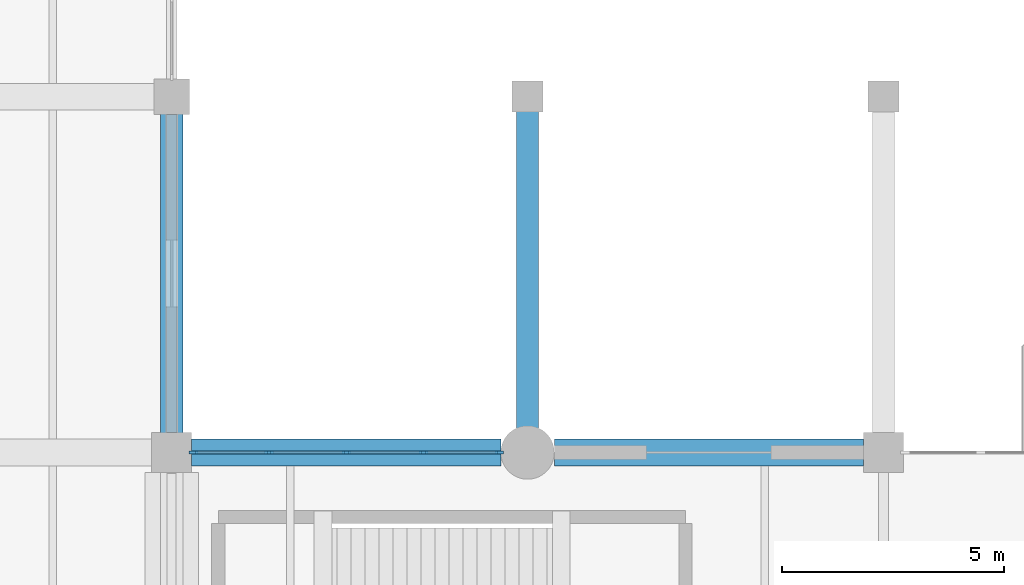
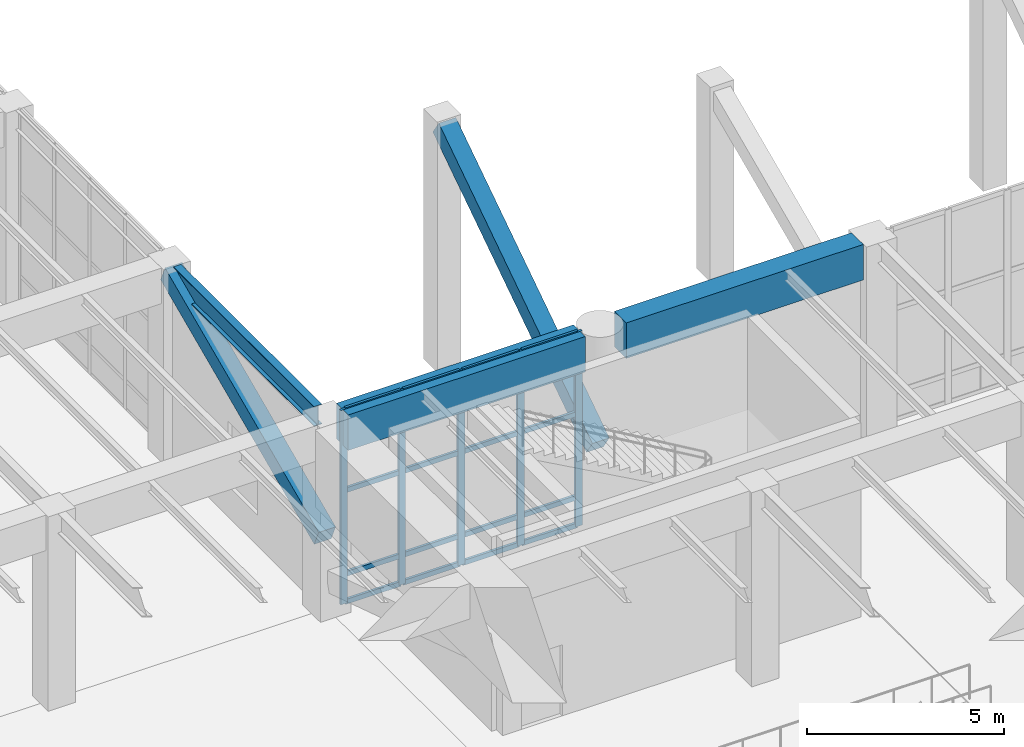
# One storey, part 12 of 51: 23 members, 3 beams, 1 element without a shape of its own.
"""IFC4 building model written with IfcOpenShell, lengths in metres."""

from ifc_helpers import new_model, si_unit, direction, frame, origin, origin_2d, place, context, subcontext, project, spatial, rectangle, i_section, extrude, material, layer, layer_set, material_profile, profile_set, type_object, element, aggregate, save


model = new_model("IFC4")

# Units and contexts
model_context = context("Model", 3, precision=1e-05, world=origin(), true_north=direction((0.0, 1.0)))
body_context = subcontext(model_context, "Body", "Model", "MODEL_VIEW")
ifc_project = project(units=[si_unit("LENGTHUNIT", "METRE"), si_unit("AREAUNIT", "SQUARE_METRE"), si_unit("VOLUMEUNIT", "CUBIC_METRE"), si_unit("PLANEANGLEUNIT", "RADIAN"), si_unit("MASSUNIT", "GRAM", prefix="KILO")], contexts=[model_context])

# Site, building, storey
site_placement = place(None, origin())
site = spatial("IfcSite", under=ifc_project, at=site_placement, CompositionType="ELEMENT")
building_placement = place(site_placement, origin())
building = spatial("IfcBuilding", under=site, at=building_placement, Name="Varnela Railside Interchange", CompositionType="ELEMENT")
storey_placement = place(building_placement, origin())
storey = spatial("IfcBuildingStorey", under=building, at=storey_placement, Name="L00", CompositionType="ELEMENT", Elevation=0.0)

# Beams
ifc_material_1 = material(Name="Concrete C50", Category="concrete")
ifc_material_profile_1 = material_profile(ifc_material_1, rectangle(XDim=0.60009765625, YDim=1.10009765625, at=origin_2d()), Name="RC 600x1100")
ifc_profile_set_1 = profile_set([ifc_material_profile_1], Name="Concrete C50")
beam_type_1 = type_object("IfcBeamType", Name="Concourse RC Girder B-06", PredefinedType="BEAM", material=ifc_profile_set_1)
for number, where, z_axis, x_axis, name in (
    (1, (52.449951171875, 62.0, 5.469970703125), (1.0, 0.0, 0.0), (0.0, 1.0, 0.0), "Concourse RC Girder B-06 (L00) (BM-1265)"),
    (2, (60.60009765625, 62.0, 5.469970703125), (1.0, 0.0, 0.0), (0.0, 1.0, 0.0), "Concourse RC Girder B-06 (L00) (BM-1266)"),
):
    element("IfcBeam", number, at=place(storey_placement, frame(where, z_axis=z_axis, x_axis=x_axis)), inside=storey, type_object=beam_type_1, Name=name, PredefinedType="BEAM", context=body_context, shape_type="SweptSolid", body=[
        extrude(rectangle(XDim=0.60009765625, YDim=1.10009765625, at=origin_2d()), origin(), (0.0, 0.0, 1.0), 6.949951171875),
    ])
ifc_material_2 = material(Name="Steel AR 350 (350 MPa)", Category="steel")
ifc_material_profile_2 = material_profile(ifc_material_2, i_section(OverallWidth=0.22900390625, OverallDepth=0.612060546875, WebThickness=0.011962890625, FlangeThickness=0.01953125, at=origin_2d()), Name="W610x125")
ifc_profile_set_2 = profile_set([ifc_material_profile_2], Name="Steel AR 350 (350 MPa)")
beam_type_2 = type_object("IfcBeamType", Name="Podium Composite Girder B-15", PredefinedType="BEAM", material=ifc_profile_set_2)
beam_placement = place(storey_placement, frame((52.0, 62.449951171875, 5.714111328125), z_axis=(0.0, 1.0, 0.0), x_axis=(-1.0, 0.0, 0.0)))
element("IfcBeam", 3, at=beam_placement, inside=storey, type_object=beam_type_2, Name="Podium Composite Girder B-15 (L00) (BM-1382)", PredefinedType="BEAM", context=body_context, shape_type="SweptSolid", body=[
    extrude(i_section(OverallWidth=0.22900390625, OverallDepth=0.612060546875, WebThickness=0.011962890625, FlangeThickness=0.01953125, at=origin_2d()), origin(), (0.0, 0.0, 1.0), 7.150146484375),
])

# Curtain wall, members
ifc_material_3 = material(Name="Aluminium 6063-T6", Category="aluminium")
ifc_layer = layer(ifc_material_3, 0.035888671875)
ifc_layer_set = layer_set([ifc_layer], Name="Aluminium 6063-T6")
curtain_wall_type = type_object("IfcCurtainWallType", Name="Arrival Forecourt Portal Curtain Wall CW-04", PredefinedType="USERDEFINED", material=ifc_layer_set)
curtain_wall_placement = place(storey_placement, origin())
curtain_wall = element("IfcCurtainWall", 4, at=curtain_wall_placement, inside=storey, type_object=curtain_wall_type, Name="Curtain Wall CW-04 (L00) (CW-006)", ObjectType="CURTAIN WALL", PredefinedType="USERDEFINED")
ifc_material_profile_3 = material_profile(ifc_material_3, rectangle(XDim=0.074951171875, YDim=0.199951171875, at=origin_2d()), Name="ALU 75x200")
ifc_profile_set_3 = profile_set([ifc_material_profile_3], Name="Aluminium 6063-T6")
member_type_1 = type_object("IfcMemberType", Name="Portal Heavy Mullion ML-04", PredefinedType="MULLION", material=ifc_profile_set_3)
member_1_placement = place(storey_placement, frame((52.487548828125, 62.0, 0.0), z_axis=(0.0, 0.0, 1.0), x_axis=(0.0, 1.0, 0.0)))
member_1 = element("IfcMember", 5, at=member_1_placement, type_object=member_type_1, Name="CW-04 mullion 1", PredefinedType="MULLION", context=body_context, shape_type="SweptSolid", body=[
    extrude(rectangle(XDim=0.074951171875, YDim=0.199951171875, at=origin_2d()), origin(), (0.0, 0.0, 1.0), 6.02001953125),
])
member_2_placement = place(storey_placement, frame((54.1875, 62.0, 0.0), z_axis=(0.0, 0.0, 1.0), x_axis=(0.0, 1.0, 0.0)))
member_2 = element("IfcMember", 6, at=member_2_placement, type_object=member_type_1, Name="CW-04 mullion 2", PredefinedType="MULLION", context=body_context, shape_type="SweptSolid", body=[
    extrude(rectangle(XDim=0.074951171875, YDim=0.199951171875, at=origin_2d()), origin(), (0.0, 0.0, 1.0), 6.02001953125),
])
member_3_placement = place(storey_placement, frame((55.925048828125, 62.0, 0.0), z_axis=(0.0, 0.0, 1.0), x_axis=(0.0, 1.0, 0.0)))
member_3 = element("IfcMember", 7, at=member_3_placement, type_object=member_type_1, Name="CW-04 mullion 3", PredefinedType="MULLION", context=body_context, shape_type="SweptSolid", body=[
    extrude(rectangle(XDim=0.074951171875, YDim=0.199951171875, at=origin_2d()), origin(), (0.0, 0.0, 1.0), 6.02001953125),
])
member_4_placement = place(storey_placement, frame((57.66259765625, 62.0, 0.0), z_axis=(0.0, 0.0, 1.0), x_axis=(0.0, 1.0, 0.0)))
member_4 = element("IfcMember", 8, at=member_4_placement, type_object=member_type_1, Name="CW-04 mullion 4", PredefinedType="MULLION", context=body_context, shape_type="SweptSolid", body=[
    extrude(rectangle(XDim=0.074951171875, YDim=0.199951171875, at=origin_2d()), origin(), (0.0, 0.0, 1.0), 6.02001953125),
])
member_5_placement = place(storey_placement, frame((59.362548828125, 62.0, 0.0), z_axis=(0.0, 0.0, 1.0), x_axis=(0.0, 1.0, 0.0)))
member_5 = element("IfcMember", 9, at=member_5_placement, type_object=member_type_1, Name="CW-04 mullion 5", PredefinedType="MULLION", context=body_context, shape_type="SweptSolid", body=[
    extrude(rectangle(XDim=0.074951171875, YDim=0.199951171875, at=origin_2d()), origin(), (0.0, 0.0, 1.0), 6.02001953125),
])
ifc_material_profile_4 = material_profile(ifc_material_3, rectangle(XDim=0.074951171875, YDim=0.14990234375, at=origin_2d()), Name="ALU 75x150")
ifc_profile_set_4 = profile_set([ifc_material_profile_4], Name="Aluminium 6063-T6")
member_type_2 = type_object("IfcMemberType", Name="Portal Heavy Transom TR-04", PredefinedType="USERDEFINED", material=ifc_profile_set_4)
member_6_placement = place(storey_placement, frame((52.52490234375, 62.0, 0.03759765625), z_axis=(1.0, 0.0, 0.0), x_axis=(0.0, 1.0, 0.0)))
member_6 = element("IfcMember", 10, at=member_6_placement, type_object=member_type_2, Name="CW-04 transom 1.1", ObjectType="TRANSOM", PredefinedType="USERDEFINED", context=body_context, shape_type="SweptSolid", body=[
    extrude(rectangle(XDim=0.074951171875, YDim=0.14990234375, at=origin_2d()), origin(), (0.0, 0.0, 1.0), 1.625),
])
member_7_placement = place(storey_placement, frame((52.52490234375, 62.0, 0.89990234375), z_axis=(1.0, 0.0, 0.0), x_axis=(0.0, 1.0, 0.0)))
member_7 = element("IfcMember", 11, at=member_7_placement, type_object=member_type_2, Name="CW-04 transom 1.2", ObjectType="TRANSOM", PredefinedType="USERDEFINED", context=body_context, shape_type="SweptSolid", body=[
    extrude(rectangle(XDim=0.074951171875, YDim=0.14990234375, at=origin_2d()), origin(), (0.0, 0.0, 1.0), 1.625),
])
member_8_placement = place(storey_placement, frame((52.52490234375, 62.0, 3.49169921875), z_axis=(1.0, 0.0, 0.0), x_axis=(0.0, 1.0, 0.0)))
member_8 = element("IfcMember", 12, at=member_8_placement, type_object=member_type_2, Name="CW-04 transom 1.3", ObjectType="TRANSOM", PredefinedType="USERDEFINED", context=body_context, shape_type="SweptSolid", body=[
    extrude(rectangle(XDim=0.074951171875, YDim=0.14990234375, at=origin_2d()), origin(), (0.0, 0.0, 1.0), 1.625),
])
member_9_placement = place(storey_placement, frame((52.52490234375, 62.0, 5.982421875), z_axis=(1.0, 0.0, 0.0), x_axis=(0.0, 1.0, 0.0)))
member_9 = element("IfcMember", 13, at=member_9_placement, type_object=member_type_2, Name="CW-04 transom 1.4", ObjectType="TRANSOM", PredefinedType="USERDEFINED", context=body_context, shape_type="SweptSolid", body=[
    extrude(rectangle(XDim=0.074951171875, YDim=0.14990234375, at=origin_2d()), origin(), (0.0, 0.0, 1.0), 1.625),
])
member_10_placement = place(storey_placement, frame((54.22509765625, 62.0, 0.03759765625), z_axis=(1.0, 0.0, 0.0), x_axis=(0.0, 1.0, 0.0)))
member_10 = element("IfcMember", 14, at=member_10_placement, type_object=member_type_2, Name="CW-04 transom 2.1", ObjectType="TRANSOM", PredefinedType="USERDEFINED", context=body_context, shape_type="SweptSolid", body=[
    extrude(rectangle(XDim=0.074951171875, YDim=0.14990234375, at=origin_2d()), origin(), (0.0, 0.0, 1.0), 1.662353515625),
])
member_11_placement = place(storey_placement, frame((54.22509765625, 62.0, 0.89990234375), z_axis=(1.0, 0.0, 0.0), x_axis=(0.0, 1.0, 0.0)))
member_11 = element("IfcMember", 15, at=member_11_placement, type_object=member_type_2, Name="CW-04 transom 2.2", ObjectType="TRANSOM", PredefinedType="USERDEFINED", context=body_context, shape_type="SweptSolid", body=[
    extrude(rectangle(XDim=0.074951171875, YDim=0.14990234375, at=origin_2d()), origin(), (0.0, 0.0, 1.0), 1.662353515625),
])
member_12_placement = place(storey_placement, frame((54.22509765625, 62.0, 3.49169921875), z_axis=(1.0, 0.0, 0.0), x_axis=(0.0, 1.0, 0.0)))
member_12 = element("IfcMember", 16, at=member_12_placement, type_object=member_type_2, Name="CW-04 transom 2.3", ObjectType="TRANSOM", PredefinedType="USERDEFINED", context=body_context, shape_type="SweptSolid", body=[
    extrude(rectangle(XDim=0.074951171875, YDim=0.14990234375, at=origin_2d()), origin(), (0.0, 0.0, 1.0), 1.662353515625),
])
member_13_placement = place(storey_placement, frame((54.22509765625, 62.0, 5.982421875), z_axis=(1.0, 0.0, 0.0), x_axis=(0.0, 1.0, 0.0)))
member_13 = element("IfcMember", 17, at=member_13_placement, type_object=member_type_2, Name="CW-04 transom 2.4", ObjectType="TRANSOM", PredefinedType="USERDEFINED", context=body_context, shape_type="SweptSolid", body=[
    extrude(rectangle(XDim=0.074951171875, YDim=0.14990234375, at=origin_2d()), origin(), (0.0, 0.0, 1.0), 1.662353515625),
])
member_14_placement = place(storey_placement, frame((55.96240234375, 62.0, 0.03759765625), z_axis=(1.0, 0.0, 0.0), x_axis=(0.0, 1.0, 0.0)))
member_14 = element("IfcMember", 18, at=member_14_placement, type_object=member_type_2, Name="CW-04 transom 3.1", ObjectType="TRANSOM", PredefinedType="USERDEFINED", context=body_context, shape_type="SweptSolid", body=[
    extrude(rectangle(XDim=0.074951171875, YDim=0.14990234375, at=origin_2d()), origin(), (0.0, 0.0, 1.0), 1.66259765625),
])
member_15_placement = place(storey_placement, frame((55.96240234375, 62.0, 0.89990234375), z_axis=(1.0, 0.0, 0.0), x_axis=(0.0, 1.0, 0.0)))
member_15 = element("IfcMember", 19, at=member_15_placement, type_object=member_type_2, Name="CW-04 transom 3.2", ObjectType="TRANSOM", PredefinedType="USERDEFINED", context=body_context, shape_type="SweptSolid", body=[
    extrude(rectangle(XDim=0.074951171875, YDim=0.14990234375, at=origin_2d()), origin(), (0.0, 0.0, 1.0), 1.66259765625),
])
member_16_placement = place(storey_placement, frame((55.96240234375, 62.0, 3.49169921875), z_axis=(1.0, 0.0, 0.0), x_axis=(0.0, 1.0, 0.0)))
member_16 = element("IfcMember", 20, at=member_16_placement, type_object=member_type_2, Name="CW-04 transom 3.3", ObjectType="TRANSOM", PredefinedType="USERDEFINED", context=body_context, shape_type="SweptSolid", body=[
    extrude(rectangle(XDim=0.074951171875, YDim=0.14990234375, at=origin_2d()), origin(), (0.0, 0.0, 1.0), 1.66259765625),
])
member_17_placement = place(storey_placement, frame((55.96240234375, 62.0, 5.982421875), z_axis=(1.0, 0.0, 0.0), x_axis=(0.0, 1.0, 0.0)))
member_17 = element("IfcMember", 21, at=member_17_placement, type_object=member_type_2, Name="CW-04 transom 3.4", ObjectType="TRANSOM", PredefinedType="USERDEFINED", context=body_context, shape_type="SweptSolid", body=[
    extrude(rectangle(XDim=0.074951171875, YDim=0.14990234375, at=origin_2d()), origin(), (0.0, 0.0, 1.0), 1.66259765625),
])
member_18_placement = place(storey_placement, frame((57.699951171875, 62.0, 0.03759765625), z_axis=(1.0, 0.0, 0.0), x_axis=(0.0, 1.0, 0.0)))
member_18 = element("IfcMember", 22, at=member_18_placement, type_object=member_type_2, Name="CW-04 transom 4.1", ObjectType="TRANSOM", PredefinedType="USERDEFINED", context=body_context, shape_type="SweptSolid", body=[
    extrude(rectangle(XDim=0.074951171875, YDim=0.14990234375, at=origin_2d()), origin(), (0.0, 0.0, 1.0), 1.625),
])
member_19_placement = place(storey_placement, frame((57.699951171875, 62.0, 0.89990234375), z_axis=(1.0, 0.0, 0.0), x_axis=(0.0, 1.0, 0.0)))
member_19 = element("IfcMember", 23, at=member_19_placement, type_object=member_type_2, Name="CW-04 transom 4.2", ObjectType="TRANSOM", PredefinedType="USERDEFINED", context=body_context, shape_type="SweptSolid", body=[
    extrude(rectangle(XDim=0.074951171875, YDim=0.14990234375, at=origin_2d()), origin(), (0.0, 0.0, 1.0), 1.625),
])
member_20_placement = place(storey_placement, frame((57.699951171875, 62.0, 3.49169921875), z_axis=(1.0, 0.0, 0.0), x_axis=(0.0, 1.0, 0.0)))
member_20 = element("IfcMember", 24, at=member_20_placement, type_object=member_type_2, Name="CW-04 transom 4.3", ObjectType="TRANSOM", PredefinedType="USERDEFINED", context=body_context, shape_type="SweptSolid", body=[
    extrude(rectangle(XDim=0.074951171875, YDim=0.14990234375, at=origin_2d()), origin(), (0.0, 0.0, 1.0), 1.625),
])
member_21_placement = place(storey_placement, frame((57.699951171875, 62.0, 5.982421875), z_axis=(1.0, 0.0, 0.0), x_axis=(0.0, 1.0, 0.0)))
member_21 = element("IfcMember", 25, at=member_21_placement, type_object=member_type_2, Name="CW-04 transom 4.4", ObjectType="TRANSOM", PredefinedType="USERDEFINED", context=body_context, shape_type="SweptSolid", body=[
    extrude(rectangle(XDim=0.074951171875, YDim=0.14990234375, at=origin_2d()), origin(), (0.0, 0.0, 1.0), 1.625),
])
aggregate(curtain_wall, [member_1, member_2, member_3, member_4, member_5, member_6, member_7, member_8, member_9, member_10, member_11, member_12, member_13, member_14, member_15, member_16, member_17, member_18, member_19, member_20, member_21])

# Members
ifc_material_profile_5 = material_profile(ifc_material_1, rectangle(XDim=0.5, YDim=0.550048828125, at=origin_2d()), Name="RC 500x550")
ifc_profile_set_5 = profile_set([ifc_material_profile_5], Name="Concrete C50")
member_type_3 = type_object("IfcMemberType", Name="Sculpted V-Pier End Strut VP-02", PredefinedType="STRUT", material=ifc_profile_set_5)
member_22_placement = place(storey_placement, frame((52.0, 62.10009765625, 2.199951171875), z_axis=(0.0, 0.913664073607, 0.406470122642), x_axis=(-1.0, 0.0, 0.0)))
element("IfcMember", 26, at=member_22_placement, inside=storey, type_object=member_type_3, Name="Sculpted V-Pier End Strut VP-02 (L00) (MB-0035)", PredefinedType="STRUT", context=body_context, shape_type="SweptSolid", body=[
    extrude(rectangle(XDim=0.5, YDim=0.550048828125, at=origin_2d()), origin(), (0.0, 0.0, 1.0), 8.536865234375),
])
member_23_placement = place(storey_placement, frame((60.0, 62.10009765625, 2.199951171875), z_axis=(0.0, 0.832046287583, 0.554706206311), x_axis=(-1.0, 0.0, 0.0)))
element("IfcMember", 27, at=member_23_placement, inside=storey, type_object=member_type_3, Name="Sculpted V-Pier End Strut VP-02 (L00) (MB-0036)", PredefinedType="STRUT", context=body_context, shape_type="SweptSolid", body=[
    extrude(rectangle(XDim=0.5, YDim=0.550048828125, at=origin_2d()), origin(), (0.0, 0.0, 1.0), 9.374267578125),
])

save(model, "model.ifc")
